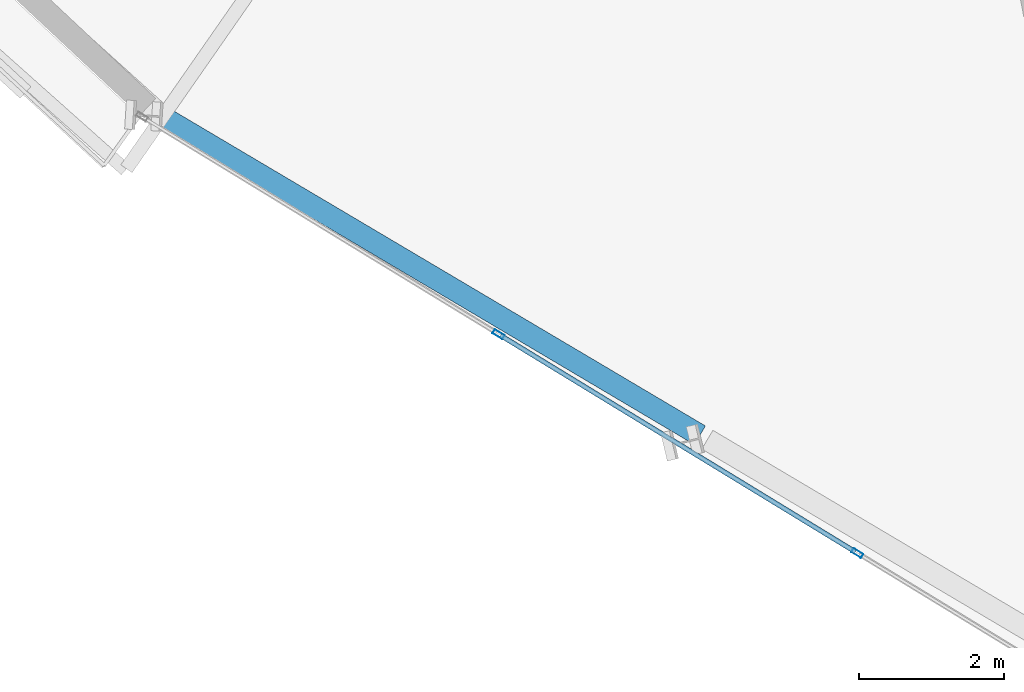
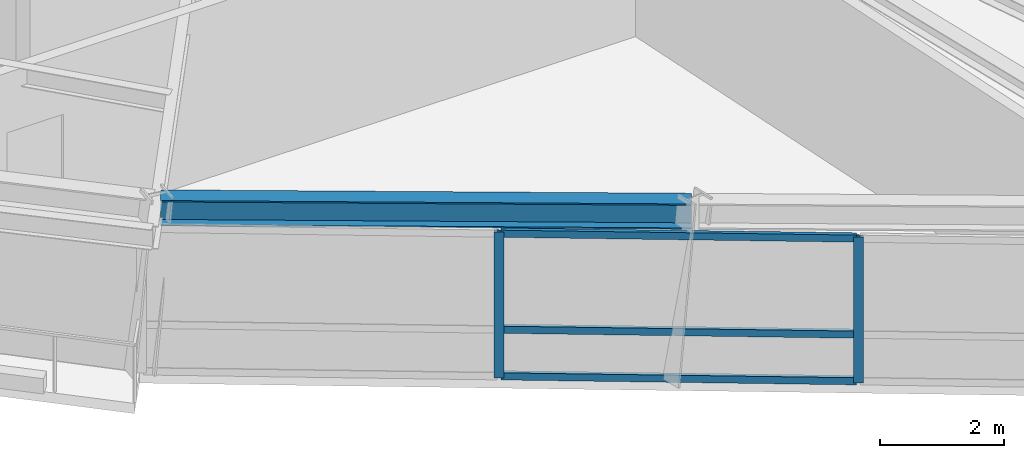
# One storey, part 3 of 14: 5 members, 1 beam, 1 element without a shape of its own.
"""IFC4 building model written with IfcOpenShell, lengths in metres."""

from ifc_helpers import new_model, si_unit, direction, frame, origin, origin_2d, place, context, subcontext, project, spatial, hollow_rectangle, i_section, extrude, source, transform, mapped, material, material_profile, profile_set, type_object, element, aggregate, save


model = new_model("IFC4")

# Units and contexts
model_context = context("Model", 3, precision=1e-05, world=origin(), true_north=direction((0.0, 1.0)))
body_context = subcontext(model_context, "Body", "Model", "MODEL_VIEW")
ifc_project = project(units=[si_unit("LENGTHUNIT", "METRE"), si_unit("AREAUNIT", "SQUARE_METRE"), si_unit("VOLUMEUNIT", "CUBIC_METRE"), si_unit("PLANEANGLEUNIT", "RADIAN"), si_unit("MASSUNIT", "GRAM", prefix="KILO")], contexts=[model_context])

# Site, building, storey
site_placement = place(None, origin())
site = spatial("IfcSite", under=ifc_project, at=site_placement, CompositionType="ELEMENT")
building_placement = place(site_placement, origin())
building = spatial("IfcBuilding", under=site, at=building_placement, Name="Olszyna Solenne Hotel", CompositionType="ELEMENT")
storey_placement = place(building_placement, frame((0.0, 0.0, 256.10009765625)))
storey = spatial("IfcBuildingStorey", under=building, at=storey_placement, Name="L68", CompositionType="ELEMENT", Elevation=256.10009765625)

# Beam
ifc_material_1 = material(Name="Steel S355J2", Category="steel")
ifc_material_profile_1 = material_profile(ifc_material_1, i_section(OverallWidth=0.300048828125, OverallDepth=0.5, WebThickness=0.014404296875, FlangeThickness=0.028076171875, at=origin_2d()), Name="HEB 500", Category="load-bearing")
ifc_profile_set_1 = profile_set([ifc_material_profile_1], Name="Steel S355J2")
beam_type = type_object("IfcBeamType", Name="BM-S3", PredefinedType="BEAM", material=ifc_profile_set_1)
shared_shape_1 = source(origin(), body_context, "Body", "SweptSolid", [
    extrude(i_section(OverallWidth=0.300048828125, OverallDepth=0.5, WebThickness=0.014404296875, FlangeThickness=0.028076171875, at=origin_2d()), origin(), (0.0, 0.0, 1.0), 8.554443359375),
])
beam_placement = place(storey_placement, frame((28.5234375, 12.88623046875, 3.1298828125), z_axis=(0.860345304395, -0.509711641229, 0.0), x_axis=(0.509711641229, 0.860345304395, 0.0)))
element("IfcBeam", 1, at=beam_placement, inside=storey, type_object=beam_type, Name="Perimeter spandrel beam BM-S3 B-L68-2004", PredefinedType="BEAM", context=body_context, shape_type="MappedRepresentation", body=[
    mapped(shared_shape_1, transform((0.0, 0.0, 0.0), x_axis=(1.0, 0.0, 0.0), y_axis=(0.0, 1.0, 0.0), z_axis=(0.0, 0.0, 1.0), scale=1.0)),
])

# Curtain wall, members
ifc_material_2 = material(Name="Anodised bronze aluminium", Category="aluminium")
curtain_wall_type = type_object("IfcCurtainWallType", Name="CW-SYS-4", PredefinedType="NOTDEFINED", material=ifc_material_2)
curtain_wall_placement = place(storey_placement, origin())
curtain_wall = element("IfcCurtainWall", 2, at=curtain_wall_placement, inside=storey, type_object=curtain_wall_type, Name="Unitised curtain wall CW-SYS-4 CW-L68-01", PredefinedType="NOTDEFINED")
ifc_material_profile_2 = material_profile(ifc_material_2, hollow_rectangle(XDim=0.06494140625, YDim=0.159912109375, WallThickness=0.00390625, at=origin_2d()), Name="MULL 160x65x4", Category="load-bearing")
ifc_profile_set_2 = profile_set([ifc_material_profile_2], Name="Anodised bronze aluminium")
member_type_1 = type_object("IfcMemberType", Name="CW-M3", PredefinedType="MULLION", material=ifc_profile_set_2)
shared_shape_2 = source(origin(), body_context, "Body", "SweptSolid", [
    extrude(hollow_rectangle(XDim=0.06494140625, YDim=0.159912109375, WallThickness=0.00390625, at=origin_2d()), origin(), (0.0, 0.0, 1.0), 2.871826171875),
])
member_1_placement = place(storey_placement, frame((33.107421875, 9.919189453125, 0.0), z_axis=(0.0, 0.0, 1.0), x_axis=(0.520829397593, 0.853660786614, 0.0)))
member_1 = element("IfcMember", 3, at=member_1_placement, type_object=member_type_1, Name="Curtain-wall mullion CW-M3 CM-L68-01-02", PredefinedType="MULLION", context=body_context, shape_type="MappedRepresentation", body=[
    mapped(shared_shape_2, transform((0.0, 0.0, 0.0), x_axis=(1.0, 0.0, 0.0), y_axis=(0.0, 1.0, 0.0), z_axis=(0.0, 0.0, 1.0), scale=1.0)),
])
member_2_placement = place(storey_placement, frame((38.052978515625, 6.90185546875, 0.0), z_axis=(0.0, 0.0, 1.0), x_axis=(0.520829397593, 0.853660786614, 0.0)))
member_2 = element("IfcMember", 4, at=member_2_placement, type_object=member_type_1, Name="Curtain-wall mullion CW-M3 CM-L68-01-03", PredefinedType="MULLION", context=body_context, shape_type="MappedRepresentation", body=[
    mapped(shared_shape_2, transform((0.0, 0.0, 0.0), x_axis=(1.0, 0.0, 0.0), y_axis=(0.0, 1.0, 0.0), z_axis=(0.0, 0.0, 1.0), scale=1.0)),
])
ifc_material_profile_3 = material_profile(ifc_material_2, hollow_rectangle(XDim=0.06494140625, YDim=0.139892578125, WallThickness=0.00390625, at=origin_2d()), Name="TRAN 140x65x4", Category="load-bearing")
ifc_profile_set_3 = profile_set([ifc_material_profile_3], Name="Anodised bronze aluminium")
member_type_2 = type_object("IfcMemberType", Name="CW-T2", PredefinedType="USERDEFINED", material=ifc_profile_set_3)
shared_shape_3 = source(origin(), body_context, "Body", "SweptSolid", [
    extrude(hollow_rectangle(XDim=0.06494140625, YDim=0.139892578125, WallThickness=0.00390625, at=origin_2d()), origin(), (0.0, 0.0, 1.0), 5.728515625),
])
member_3_placement = place(storey_placement, frame((33.13525390625, 9.90234375, 0.032470703125), z_axis=(0.853652448411, -0.520843064005, 0.0), x_axis=(0.520843064005, 0.853652448411, 0.0)))
member_3 = element("IfcMember", 5, at=member_3_placement, type_object=member_type_2, Name="Curtain-wall transom CW-T2 CT-L68-01-04", ObjectType="TRANSOM", PredefinedType="USERDEFINED", context=body_context, shape_type="MappedRepresentation", body=[
    mapped(shared_shape_3, transform((0.0, 0.0, 0.0), x_axis=(1.0, 0.0, 0.0), y_axis=(0.0, 1.0, 0.0), z_axis=(0.0, 0.0, 1.0), scale=1.0)),
])
member_4_placement = place(storey_placement, frame((33.13525390625, 9.90234375, 0.949951171875), z_axis=(0.853652448411, -0.520843064005, 0.0), x_axis=(0.520843064005, 0.853652448411, 0.0)))
member_4 = element("IfcMember", 6, at=member_4_placement, type_object=member_type_2, Name="Curtain-wall transom CW-T2 CT-L68-01-05", ObjectType="TRANSOM", PredefinedType="USERDEFINED", context=body_context, shape_type="MappedRepresentation", body=[
    mapped(shared_shape_3, transform((0.0, 0.0, 0.0), x_axis=(1.0, 0.0, 0.0), y_axis=(0.0, 1.0, 0.0), z_axis=(0.0, 0.0, 1.0), scale=1.0)),
])
member_5_placement = place(storey_placement, frame((33.13525390625, 9.90234375, 2.83935546875), z_axis=(0.853652448411, -0.520843064005, 0.0), x_axis=(0.520843064005, 0.853652448411, 0.0)))
member_5 = element("IfcMember", 7, at=member_5_placement, type_object=member_type_2, Name="Curtain-wall transom CW-T2 CT-L68-01-06", ObjectType="TRANSOM", PredefinedType="USERDEFINED", context=body_context, shape_type="MappedRepresentation", body=[
    mapped(shared_shape_3, transform((0.0, 0.0, 0.0), x_axis=(1.0, 0.0, 0.0), y_axis=(0.0, 1.0, 0.0), z_axis=(0.0, 0.0, 1.0), scale=1.0)),
])
aggregate(curtain_wall, [member_1, member_2, member_3, member_4, member_5])

save(model, "model.ifc")
